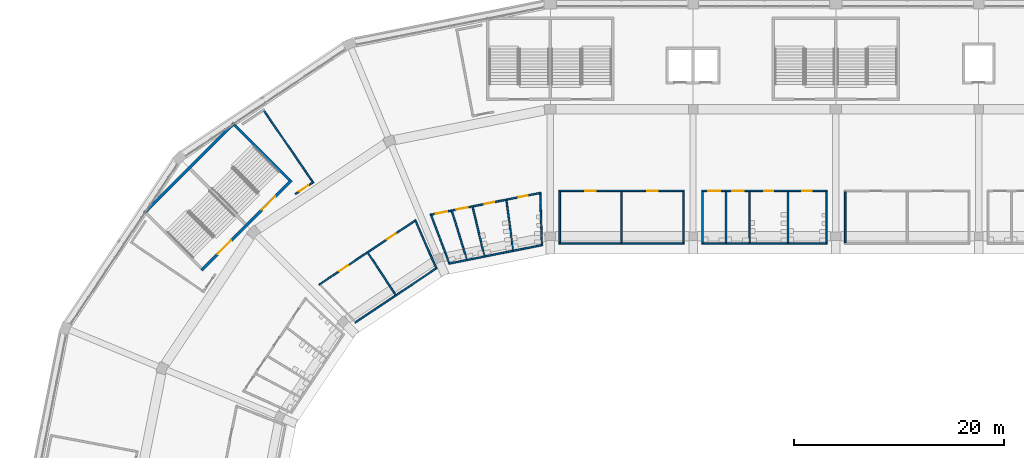
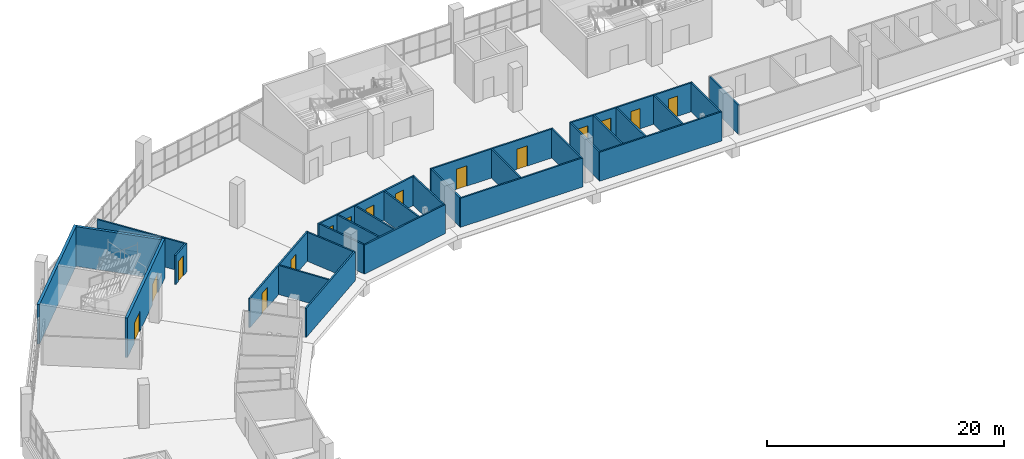
# One storey, part 85 of 199: 29 walls, 15 doors, 15 openings.
"""IFC4 building model written with IfcOpenShell, lengths in metres."""

from ifc_helpers import new_model, si_unit, direction, frame, frame_2d, origin, place, context, subcontext, project, spatial, rectangle, extrude, material, layer, layer_set, type_object, element, fill, save


model = new_model("IFC4")

# Units and contexts
model_context = context("Model", 3, precision=1e-05, world=origin(), true_north=direction((0.0, 1.0)))
body_context = subcontext(model_context, "Body", "Model", "MODEL_VIEW")
ifc_project = project(units=[si_unit("LENGTHUNIT", "METRE"), si_unit("AREAUNIT", "SQUARE_METRE"), si_unit("VOLUMEUNIT", "CUBIC_METRE"), si_unit("PLANEANGLEUNIT", "RADIAN"), si_unit("MASSUNIT", "GRAM", prefix="KILO")], contexts=[model_context])

# Site, building, storey
site_placement = place(None, origin())
site = spatial("IfcSite", under=ifc_project, at=site_placement, CompositionType="ELEMENT")
building_placement = place(site_placement, origin())
building = spatial("IfcBuilding", under=site, at=building_placement, Name="Ogive Plaza Stadium", CompositionType="ELEMENT")
storey_placement = place(building_placement, frame((0.0, 0.0, 4.5)))
storey = spatial("IfcBuildingStorey", under=building, at=storey_placement, Name="L01", CompositionType="ELEMENT", Elevation=4.5)

# Wall
ifc_material_1 = material(Name="Masonry blockwork", Category="masonry")
ifc_layer_1 = layer(ifc_material_1, 0.14990234375)
ifc_layer_set_1 = layer_set([ifc_layer_1], Name="Blockwork wall 150")
wall_type_1 = type_object("IfcWallType", Name="Blockwork wall 150", PredefinedType="SOLIDWALL", material=ifc_layer_set_1)
wall_1_placement = place(storey_placement, frame((-52.60498046875, 72.153076171875, 0.0), z_axis=(0.0, 0.0, 1.0), x_axis=(0.831461674059, 0.555582113257, 0.0)))
element("IfcWall", 1, at=wall_1_placement, inside=storey, type_object=wall_type_1, Name="Wall L01 B30", PredefinedType="SOLIDWALL", context=body_context, shape_type="SweptSolid", body=[
    extrude(rectangle(XDim=9.3876953125, YDim=0.14990234375, at=frame_2d((4.69384765625, 0.0))), origin(), (0.0, 0.0, 1.0), 3.0),
])

# Wall, openings, doors
wall_2_placement = place(storey_placement, frame((-56.025146484375, 75.765869140625, 0.0), z_axis=(0.0, 0.0, 1.0), x_axis=(0.831478677095, 0.55555666636, 0.0)))
wall_2 = element("IfcWall", 2, at=wall_2_placement, inside=storey, type_object=wall_type_1, Name="Wall L01 B30", PredefinedType="SOLIDWALL", context=body_context, shape_type="SweptSolid", body=[
    extrude(rectangle(XDim=11.11328125, YDim=0.14990234375, at=frame_2d((5.556640625, 0.0))), origin(), (0.0, 0.0, 1.0), 3.0),
])
opening_1_placement = place(wall_2_placement, frame((2.319091796875, 0.0, 0.0)))
opening_1 = element("IfcOpeningElement", 3, at=opening_1_placement, cuts=wall_2, Name="Opening D0567", PredefinedType="OPENING", context=body_context, shape_type="SweptSolid", body=[
    extrude(rectangle(XDim=1.0, YDim=2.10009765625, at=frame_2d((0.5, 1.050048828125))), frame((0.0, 0.074951171875, 0.0), z_axis=(0.0, -1.0, 0.0), x_axis=(1.0, 0.0, 0.0)), (0.0, 0.0, 1.0), 0.14990234375),
])
opening_2_placement = place(wall_2_placement, frame((7.79443359375, 0.0, 0.0)))
opening_2 = element("IfcOpeningElement", 4, at=opening_2_placement, cuts=wall_2, Name="Opening D0568", PredefinedType="OPENING", context=body_context, shape_type="SweptSolid", body=[
    extrude(rectangle(XDim=1.0, YDim=2.10009765625, at=frame_2d((0.5, 1.050048828125))), frame((0.0, 0.074951171875, 0.0), z_axis=(0.0, -1.0, 0.0), x_axis=(1.0, 0.0, 0.0)), (0.0, 0.0, 1.0), 0.14990234375),
])
ifc_material_2 = material(Name="Steel ASTM A572 Grade 50", Category="steel")
door_type_1 = type_object("IfcDoorType", Name="Door 1000 x 2100", OperationType="SINGLE_SWING_LEFT", PredefinedType="DOOR", material=ifc_material_2)
door_1_placement = place(opening_1_placement, origin())
door_1 = element("IfcDoor", 5, at=door_1_placement, inside=storey, type_object=door_type_1, Name="Club Bar B30 door", OperationType="SINGLE_SWING_LEFT", OverallHeight=2.10009765625, OverallWidth=1.0, PredefinedType="DOOR", context=body_context, shape_type="SweptSolid", body=[
    extrude(rectangle(XDim=1.0, YDim=2.10009765625, at=frame_2d((0.5, 1.050048828125))), frame((0.0, 0.02490234375, 0.0), z_axis=(0.0, -1.0, 0.0), x_axis=(1.0, 0.0, 0.0)), (0.0, 0.0, 1.0), 0.050048828125),
])
fill(opening_1, door_1)
ifc_material_3 = material(Name="Steel ASTM A572 Grade 50", Category="steel")
door_type_2 = type_object("IfcDoorType", Name="Fire door FD60 1000 x 2100", OperationType="SINGLE_SWING_LEFT", PredefinedType="DOOR", material=ifc_material_3)
door_2_placement = place(opening_2_placement, origin())
door_2 = element("IfcDoor", 6, at=door_2_placement, inside=storey, type_object=door_type_2, Name="Club Kitchen B30 door", OperationType="SINGLE_SWING_RIGHT", OverallHeight=2.10009765625, OverallWidth=1.0, PredefinedType="DOOR", context=body_context, shape_type="SweptSolid", body=[
    extrude(rectangle(XDim=1.0, YDim=2.10009765625, at=frame_2d((0.5, 1.050048828125))), frame((0.0, 0.02490234375, 0.0), z_axis=(0.0, -1.0, 0.0), x_axis=(1.0, 0.0, 0.0)), (0.0, 0.0, 1.0), 0.050048828125),
])
fill(opening_2, door_2)

# Walls
wall_3_placement = place(storey_placement, frame((-48.742919921875, 74.822265625, 0.0), z_axis=(0.0, 0.0, 1.0), x_axis=(-0.551118175735, 0.834427202561, 0.0)))
element("IfcWall", 7, at=wall_3_placement, inside=storey, type_object=wall_type_1, Name="Wall L01 B30", PredefinedType="SOLIDWALL", context=body_context, shape_type="SweptSolid", body=[
    extrude(rectangle(XDim=4.7568359375, YDim=0.14990234375, at=frame_2d((2.37841796875, 0.0))), origin(), (0.0, 0.0, 1.0), 3.0),
])
wall_4_placement = place(storey_placement, frame((-44.886474609375, 77.39892578125, 0.0), z_axis=(0.0, 0.0, 1.0), x_axis=(-0.400646552146, 0.916232688924, 0.0)))
element("IfcWall", 8, at=wall_4_placement, inside=storey, type_object=wall_type_1, Name="Wall L01 B30", PredefinedType="SOLIDWALL", context=body_context, shape_type="SweptSolid", body=[
    extrude(rectangle(XDim=4.832275390625, YDim=0.14990234375, at=frame_2d((2.416015625, 0.0))), origin(), (0.0, 0.0, 1.0), 3.0),
])

# Wall, opening, door
wall_5_placement = place(storey_placement, frame((-58.275390625, 84.40673828125, 0.0), z_axis=(0.0, 0.0, 1.0), x_axis=(0.831526298134, 0.555485387307, 0.0)))
wall_5 = element("IfcWall", 9, at=wall_5_placement, inside=storey, type_object=wall_type_1, Name="Wall L01 B30", PredefinedType="SOLIDWALL", context=body_context, shape_type="SweptSolid", body=[
    extrude(rectangle(XDim=2.080078125, YDim=0.14990234375, at=frame_2d((1.0400390625, 0.0))), origin(), (0.0, 0.0, 1.0), 3.0),
])
opening_3_placement = place(wall_5_placement, frame((0.47216796875, 0.0, 0.0)))
opening_3 = element("IfcOpeningElement", 10, at=opening_3_placement, cuts=wall_5, Name="Opening D0569", PredefinedType="OPENING", context=body_context, shape_type="SweptSolid", body=[
    extrude(rectangle(XDim=1.0, YDim=2.10009765625, at=frame_2d((0.5, 1.050048828125))), frame((0.0, 0.074951171875, 0.0), z_axis=(0.0, -1.0, 0.0), x_axis=(1.0, 0.0, 0.0)), (0.0, 0.0, 1.0), 0.14990234375),
])
door_3_placement = place(opening_3_placement, origin())
door_3 = element("IfcDoor", 11, at=door_3_placement, inside=storey, type_object=door_type_2, Name="Club Store B30 door", OperationType="SINGLE_SWING_LEFT", OverallHeight=2.10009765625, OverallWidth=1.0, PredefinedType="DOOR", context=body_context, shape_type="SweptSolid", body=[
    extrude(rectangle(XDim=1.0, YDim=2.10009765625, at=frame_2d((0.5, 1.050048828125))), frame((0.0, 0.02490234375, 0.0), z_axis=(0.0, -1.0, 0.0), x_axis=(1.0, 0.0, 0.0)), (0.0, 0.0, 1.0), 0.050048828125),
])
fill(opening_3, door_3)

# Walls
wall_6_placement = place(storey_placement, frame((-56.643798828125, 85.58544921875, 0.0), z_axis=(0.0, 0.0, 1.0), x_axis=(-0.564785434986, 0.825237791444, 0.0)))
element("IfcWall", 12, at=wall_6_placement, inside=storey, type_object=wall_type_1, Name="Wall L01 B30", PredefinedType="SOLIDWALL", context=body_context, shape_type="SweptSolid", body=[
    extrude(rectangle(XDim=8.189697265625, YDim=0.14990234375, at=frame_2d((4.0947265625, 0.0))), origin(), (0.0, 0.0, 1.0), 3.0),
])
wall_7_placement = place(storey_placement, frame((-33.175048828125, 79.699951171875, 0.0), z_axis=(0.0, 0.0, 1.0), x_axis=(1.0, 0.0, 0.0)))
element("IfcWall", 13, at=wall_7_placement, inside=storey, type_object=wall_type_1, Name="Wall L01 B32", PredefinedType="SOLIDWALL", context=body_context, shape_type="SweptSolid", body=[
    extrude(rectangle(XDim=11.949951171875, YDim=0.14990234375, at=frame_2d((5.97509765625, 0.0))), origin(), (0.0, 0.0, 1.0), 3.0),
])

# Wall, openings, doors
wall_8_placement = place(storey_placement, frame((-33.175048828125, 84.699951171875, 0.0), z_axis=(0.0, 0.0, 1.0), x_axis=(1.0, 0.0, 0.0)))
wall_8 = element("IfcWall", 14, at=wall_8_placement, inside=storey, type_object=wall_type_1, Name="Wall L01 B32", PredefinedType="SOLIDWALL", context=body_context, shape_type="SweptSolid", body=[
    extrude(rectangle(XDim=11.949951171875, YDim=0.14990234375, at=frame_2d((5.97509765625, 0.0))), origin(), (0.0, 0.0, 1.0), 3.0),
])
opening_4_placement = place(wall_8_placement, frame((2.52490234375, 0.0, 0.0)))
opening_4 = element("IfcOpeningElement", 15, at=opening_4_placement, cuts=wall_8, Name="Opening D0575", PredefinedType="OPENING", context=body_context, shape_type="SweptSolid", body=[
    extrude(rectangle(XDim=1.0, YDim=2.10009765625, at=frame_2d((0.5, 1.050048828125))), frame((0.0, 0.074951171875, 0.0), z_axis=(0.0, -1.0, 0.0), x_axis=(1.0, 0.0, 0.0)), (0.0, 0.0, 1.0), 0.14990234375),
])
opening_5_placement = place(wall_8_placement, frame((8.425048828125, 0.0, 0.0)))
opening_5 = element("IfcOpeningElement", 16, at=opening_5_placement, cuts=wall_8, Name="Opening D0576", PredefinedType="OPENING", context=body_context, shape_type="SweptSolid", body=[
    extrude(rectangle(XDim=1.0, YDim=2.10009765625, at=frame_2d((0.5, 1.050048828125))), frame((0.0, 0.074951171875, 0.0), z_axis=(0.0, -1.0, 0.0), x_axis=(1.0, 0.0, 0.0)), (0.0, 0.0, 1.0), 0.14990234375),
])
door_4_placement = place(opening_4_placement, origin())
door_4 = element("IfcDoor", 17, at=door_4_placement, inside=storey, type_object=door_type_1, Name="Club Bar B32 door", OperationType="SINGLE_SWING_RIGHT", OverallHeight=2.10009765625, OverallWidth=1.0, PredefinedType="DOOR", context=body_context, shape_type="SweptSolid", body=[
    extrude(rectangle(XDim=1.0, YDim=2.10009765625, at=frame_2d((0.5, 1.050048828125))), frame((0.0, 0.02490234375, 0.0), z_axis=(0.0, -1.0, 0.0), x_axis=(1.0, 0.0, 0.0)), (0.0, 0.0, 1.0), 0.050048828125),
])
fill(opening_4, door_4)
door_5_placement = place(opening_5_placement, origin())
door_5 = element("IfcDoor", 18, at=door_5_placement, inside=storey, type_object=door_type_2, Name="Club Kitchen B32 door", OperationType="SINGLE_SWING_LEFT", OverallHeight=2.10009765625, OverallWidth=1.0, PredefinedType="DOOR", context=body_context, shape_type="SweptSolid", body=[
    extrude(rectangle(XDim=1.0, YDim=2.10009765625, at=frame_2d((0.5, 1.050048828125))), frame((0.0, 0.02490234375, 0.0), z_axis=(0.0, -1.0, 0.0), x_axis=(1.0, 0.0, 0.0)), (0.0, 0.0, 1.0), 0.050048828125),
])
fill(opening_5, door_5)

# Walls
for number, where, z_axis, x_axis, name in (
    (19, (-33.10009765625, 79.77490234375, 0.0), (0.0, 0.0, 1.0), (0.0, 1.0, 0.0), "Wall L01 B32"),
    (20, (-27.199951171875, 79.77490234375, 0.0), (0.0, 0.0, 1.0), (0.0, 1.0, 0.0), "Wall L01 B32"),
    (21, (-21.300048828125, 79.77490234375, 0.0), (0.0, 0.0, 1.0), (0.0, 1.0, 0.0), "Wall L01 B32"),
    (22, (-5.89990234375, 79.77490234375, 0.0), (0.0, 0.0, 1.0), (0.0, 1.0, 0.0), "Wall L01 B34"),
):
    element("IfcWall", number, at=place(storey_placement, frame(where, z_axis=z_axis, x_axis=x_axis)), inside=storey, type_object=wall_type_1, Name=name, PredefinedType="SOLIDWALL", context=body_context, shape_type="SweptSolid", body=[
        extrude(rectangle(XDim=4.85009765625, YDim=0.14990234375, at=frame_2d((2.425048828125, 0.0))), origin(), (0.0, 0.0, 1.0), 3.0),
    ])

# Wall, openings, doors
ifc_material_4 = material(Name="Concrete C40/50", Category="concrete")
ifc_layer_2 = layer(ifc_material_4, 0.25)
ifc_layer_set_2 = layer_set([ifc_layer_2], Name="Concrete C40/50")
wall_type_2 = type_object("IfcWallType", Name="Core wall 250", PredefinedType="SHEAR", material=ifc_layer_set_2)
wall_9_placement = place(storey_placement, frame((-58.642578125, 85.734130859375, 0.0), z_axis=(0.0, 0.0, 1.0), x_axis=(-0.707106781187, -0.707106781187, 0.0)))
wall_9 = element("IfcWall", 23, at=wall_9_placement, inside=storey, type_object=wall_type_2, Name="Stair core R30 inner wall", PredefinedType="SHEAR", context=body_context, shape_type="SweptSolid", body=[
    extrude(rectangle(XDim=12.150390625, YDim=0.25, at=frame_2d((6.0751953125, 0.0))), origin(), (0.0, 0.0, 1.0), 4.090087890625),
])
opening_6_placement = place(wall_9_placement, frame((2.199951171875, 0.0, 0.0)))
opening_6 = element("IfcOpeningElement", 24, at=opening_6_placement, cuts=wall_9, Name="Opening D0223", PredefinedType="OPENING", context=body_context, shape_type="SweptSolid", body=[
    extrude(rectangle(XDim=1.800048828125, YDim=2.10009765625, at=frame_2d((0.89990234375, 1.050048828125))), frame((0.0, 0.125, 0.0), z_axis=(0.0, -1.0, 0.0), x_axis=(1.0, 0.0, 0.0)), (0.0, 0.0, 1.0), 0.25),
])
opening_7_placement = place(wall_9_placement, frame((8.14990234375, 0.0, 0.0)))
opening_7 = element("IfcOpeningElement", 25, at=opening_7_placement, cuts=wall_9, Name="Opening D0224", PredefinedType="OPENING", context=body_context, shape_type="SweptSolid", body=[
    extrude(rectangle(XDim=1.800048828125, YDim=2.10009765625, at=frame_2d((0.89990234375, 1.050048828125))), frame((0.0, 0.125, 0.0), z_axis=(0.0, -1.0, 0.0), x_axis=(1.0, 0.0, 0.0)), (0.0, 0.0, 1.0), 0.25),
])
ifc_material_5 = material(Name="Steel ASTM A572 Grade 50", Category="steel")
door_type_3 = type_object("IfcDoorType", Name="Fire door FD90 pair 1800 x 2100", OperationType="DOUBLE_DOOR_SINGLE_SWING", PredefinedType="DOOR", material=ifc_material_5)
door_6_placement = place(opening_6_placement, origin())
door_6 = element("IfcDoor", 26, at=door_6_placement, inside=storey, type_object=door_type_3, Name="Exit stair R30A door L01", OperationType="DOUBLE_DOOR_SINGLE_SWING", OverallHeight=2.10009765625, OverallWidth=1.800048828125, PredefinedType="DOOR", context=body_context, shape_type="SweptSolid", body=[
    extrude(rectangle(XDim=1.800048828125, YDim=2.10009765625, at=frame_2d((0.89990234375, 1.050048828125))), frame((0.0, 0.02490234375, 0.0), z_axis=(0.0, -1.0, 0.0), x_axis=(1.0, 0.0, 0.0)), (0.0, 0.0, 1.0), 0.050048828125),
])
fill(opening_6, door_6)
door_7_placement = place(opening_7_placement, origin())
door_7 = element("IfcDoor", 27, at=door_7_placement, inside=storey, type_object=door_type_3, Name="Exit stair R30B door L01", OperationType="DOUBLE_DOOR_SINGLE_SWING", OverallHeight=2.10009765625, OverallWidth=1.800048828125, PredefinedType="DOOR", context=body_context, shape_type="SweptSolid", body=[
    extrude(rectangle(XDim=1.800048828125, YDim=2.10009765625, at=frame_2d((0.89990234375, 1.050048828125))), frame((0.0, 0.02490234375, 0.0), z_axis=(0.0, -1.0, 0.0), x_axis=(1.0, 0.0, 0.0)), (0.0, 0.0, 1.0), 0.050048828125),
])
fill(opening_7, door_7)

# Walls
wall_10_placement = place(storey_placement, frame((-64.094482421875, 91.185791015625, 0.0), z_axis=(0.0, 0.0, 1.0), x_axis=(-0.707106781187, -0.707106781187, 0.0)))
element("IfcWall", 28, at=wall_10_placement, inside=storey, type_object=wall_type_2, Name="Stair core R30 outer wall", PredefinedType="SHEAR", context=body_context, shape_type="SweptSolid", body=[
    extrude(rectangle(XDim=12.14990234375, YDim=0.25, at=frame_2d((6.074951171875, 0.0))), origin(), (0.0, 0.0, 1.0), 4.090087890625),
])
wall_11_placement = place(storey_placement, frame((-58.8193359375, 85.734130859375, 0.0), z_axis=(0.0, 0.0, 1.0), x_axis=(-0.707123144286, 0.707090417709, 0.0)))
element("IfcWall", 29, at=wall_11_placement, inside=storey, type_object=wall_type_2, Name="Stair core R30 side wall", PredefinedType="SHEAR", context=body_context, shape_type="SweptSolid", body=[
    extrude(rectangle(XDim=7.4599609375, YDim=0.25, at=frame_2d((3.72998046875, 0.0))), origin(), (0.0, 0.0, 1.0), 4.090087890625),
])
ifc_material_6 = material(Name="Gypsum board partition", Category="gypsum")
ifc_layer_3 = layer(ifc_material_6, 0.14990234375)
ifc_layer_set_3 = layer_set([ifc_layer_3], Name="Partition 150")
wall_type_3 = type_object("IfcWallType", Name="Partition 150", PredefinedType="PARTITIONING", material=ifc_layer_set_3)
wall_12_placement = place(storey_placement, frame((-34.740966796875, 79.552490234375, 0.0), z_axis=(0.0, 0.0, 1.0), x_axis=(-0.980786464492, -0.195084369103, 0.0)))
element("IfcWall", 30, at=wall_12_placement, inside=storey, type_object=wall_type_3, Name="Wall L01 B31", PredefinedType="PARTITIONING", context=body_context, shape_type="SweptSolid", body=[
    extrude(rectangle(XDim=9.101806640625, YDim=0.14990234375, at=frame_2d((4.55078125, 0.0))), origin(), (0.0, 0.0, 1.0), 3.0),
])

# Wall, openings, doors
wall_13_placement = place(storey_placement, frame((-34.877197265625, 84.525390625, 0.0), z_axis=(0.0, 0.0, 1.0), x_axis=(-0.98078580384, -0.195087690502, 0.0)))
wall_13 = element("IfcWall", 31, at=wall_13_placement, inside=storey, type_object=wall_type_3, Name="Wall L01 B31", PredefinedType="PARTITIONING", context=body_context, shape_type="SweptSolid", body=[
    extrude(rectangle(XDim=10.77490234375, YDim=0.14990234375, at=frame_2d((5.387451171875, 0.0))), origin(), (0.0, 0.0, 1.0), 3.0),
])
opening_8_placement = place(wall_13_placement, frame((1.276123046875, 0.0, 0.0)))
opening_8 = element("IfcOpeningElement", 32, at=opening_8_placement, cuts=wall_13, Name="Opening D0570", PredefinedType="OPENING", context=body_context, shape_type="SweptSolid", body=[
    extrude(rectangle(XDim=0.89990234375, YDim=2.10009765625, at=frame_2d((0.449951171875, 1.050048828125))), frame((0.0, 0.074951171875, 0.0), z_axis=(0.0, -1.0, 0.0), x_axis=(1.0, 0.0, 0.0)), (0.0, 0.0, 1.0), 0.14990234375),
])
opening_9_placement = place(wall_13_placement, frame((4.56591796875, 0.0, 0.0)))
opening_9 = element("IfcOpeningElement", 33, at=opening_9_placement, cuts=wall_13, Name="Opening D0571", PredefinedType="OPENING", context=body_context, shape_type="SweptSolid", body=[
    extrude(rectangle(XDim=0.89990234375, YDim=2.10009765625, at=frame_2d((0.449951171875, 1.050048828125))), frame((0.0, 0.074951171875, 0.0), z_axis=(0.0, -1.0, 0.0), x_axis=(1.0, 0.0, 0.0)), (0.0, 0.0, 1.0), 0.14990234375),
])
opening_10_placement = place(wall_13_placement, frame((7.119140625, 0.0, 0.0)))
opening_10 = element("IfcOpeningElement", 34, at=opening_10_placement, cuts=wall_13, Name="Opening D0572", PredefinedType="OPENING", context=body_context, shape_type="SweptSolid", body=[
    extrude(rectangle(XDim=1.10009765625, YDim=2.10009765625, at=frame_2d((0.550048828125, 1.050048828125))), frame((0.0, 0.074951171875, 0.0), z_axis=(0.0, -1.0, 0.0), x_axis=(1.0, 0.0, 0.0)), (0.0, 0.0, 1.0), 0.14990234375),
])
opening_11_placement = place(wall_13_placement, frame((9.135498046875, 0.0, 0.0)))
opening_11 = element("IfcOpeningElement", 35, at=opening_11_placement, cuts=wall_13, Name="Opening D0573", PredefinedType="OPENING", context=body_context, shape_type="SweptSolid", body=[
    extrude(rectangle(XDim=1.10009765625, YDim=2.10009765625, at=frame_2d((0.550048828125, 1.050048828125))), frame((0.0, 0.074951171875, 0.0), z_axis=(0.0, -1.0, 0.0), x_axis=(1.0, 0.0, 0.0)), (0.0, 0.0, 1.0), 0.14990234375),
])
ifc_material_7 = material(Name="Steel ASTM A572 Grade 50", Category="steel")
door_type_4 = type_object("IfcDoorType", Name="Accessible door 1100 x 2100", OperationType="SINGLE_SWING_LEFT", PredefinedType="DOOR", material=ifc_material_7)
door_8_placement = place(opening_10_placement, origin())
door_8 = element("IfcDoor", 36, at=door_8_placement, inside=storey, type_object=door_type_4, Name="Accessible WC B31 door", OperationType="SINGLE_SWING_LEFT", OverallHeight=2.10009765625, OverallWidth=1.10009765625, PredefinedType="DOOR", context=body_context, shape_type="SweptSolid", body=[
    extrude(rectangle(XDim=1.10009765625, YDim=2.10009765625, at=frame_2d((0.550048828125, 1.050048828125))), frame((0.0, 0.02490234375, 0.0), z_axis=(0.0, -1.0, 0.0), x_axis=(1.0, 0.0, 0.0)), (0.0, 0.0, 1.0), 0.050048828125),
])
fill(opening_10, door_8)
door_9_placement = place(opening_11_placement, origin())
door_9 = element("IfcDoor", 37, at=door_9_placement, inside=storey, type_object=door_type_4, Name="Family WC B31 door", OperationType="SINGLE_SWING_LEFT", OverallHeight=2.10009765625, OverallWidth=1.10009765625, PredefinedType="DOOR", context=body_context, shape_type="SweptSolid", body=[
    extrude(rectangle(XDim=1.10009765625, YDim=2.10009765625, at=frame_2d((0.550048828125, 1.050048828125))), frame((0.0, 0.02490234375, 0.0), z_axis=(0.0, -1.0, 0.0), x_axis=(1.0, 0.0, 0.0)), (0.0, 0.0, 1.0), 0.050048828125),
])
fill(opening_11, door_9)
ifc_material_8 = material(Name="Steel ASTM A572 Grade 50", Category="steel")
door_type_5 = type_object("IfcDoorType", Name="Door 900 x 2100", OperationType="SINGLE_SWING_LEFT", PredefinedType="DOOR", material=ifc_material_8)
door_10_placement = place(opening_8_placement, origin())
door_10 = element("IfcDoor", 38, at=door_10_placement, inside=storey, type_object=door_type_5, Name="Men's Toilet B31 door", OperationType="SINGLE_SWING_RIGHT", OverallHeight=2.10009765625, OverallWidth=0.89990234375, PredefinedType="DOOR", context=body_context, shape_type="SweptSolid", body=[
    extrude(rectangle(XDim=0.89990234375, YDim=2.10009765625, at=frame_2d((0.449951171875, 1.050048828125))), frame((0.0, 0.02490234375, 0.0), z_axis=(0.0, -1.0, 0.0), x_axis=(1.0, 0.0, 0.0)), (0.0, 0.0, 1.0), 0.050048828125),
])
fill(opening_8, door_10)
door_11_placement = place(opening_9_placement, origin())
door_11 = element("IfcDoor", 39, at=door_11_placement, inside=storey, type_object=door_type_5, Name="Women's Toilet B31 door", OperationType="SINGLE_SWING_LEFT", OverallHeight=2.10009765625, OverallWidth=0.89990234375, PredefinedType="DOOR", context=body_context, shape_type="SweptSolid", body=[
    extrude(rectangle(XDim=0.89990234375, YDim=2.10009765625, at=frame_2d((0.449951171875, 1.050048828125))), frame((0.0, 0.02490234375, 0.0), z_axis=(0.0, -1.0, 0.0), x_axis=(1.0, 0.0, 0.0)), (0.0, 0.0, 1.0), 0.050048828125),
])
fill(opening_9, door_11)

# Walls
wall_14_placement = place(storey_placement, frame((-34.810546875, 79.61376953125, 0.0), z_axis=(0.0, 0.0, 1.0), x_axis=(-0.02991368842, 0.999552485488, 0.0)))
element("IfcWall", 40, at=wall_14_placement, inside=storey, type_object=wall_type_3, Name="Wall L01 B31", PredefinedType="PARTITIONING", context=body_context, shape_type="SweptSolid", body=[
    extrude(rectangle(XDim=4.823486328125, YDim=0.14990234375, at=frame_2d((2.41162109375, 0.0))), origin(), (0.0, 0.0, 1.0), 3.0),
])
wall_15_placement = place(storey_placement, frame((-37.543701171875, 79.070068359375, 0.0), z_axis=(0.0, 0.0, 1.0), x_axis=(-0.132200625744, 0.99122297923, 0.0)))
element("IfcWall", 41, at=wall_15_placement, inside=storey, type_object=wall_type_3, Name="Wall L01 B31", PredefinedType="PARTITIONING", context=body_context, shape_type="SweptSolid", body=[
    extrude(rectangle(XDim=4.766357421875, YDim=0.14990234375, at=frame_2d((2.38330078125, 0.0))), origin(), (0.0, 0.0, 1.0), 3.0),
])
wall_16_placement = place(storey_placement, frame((-40.27685546875, 78.5263671875, 0.0), z_axis=(0.0, 0.0, 1.0), x_axis=(-0.234455054274, 0.9721269606, 0.0)))
element("IfcWall", 42, at=wall_16_placement, inside=storey, type_object=wall_type_3, Name="Wall L01 B31", PredefinedType="PARTITIONING", context=body_context, shape_type="SweptSolid", body=[
    extrude(rectangle(XDim=4.760986328125, YDim=0.14990234375, at=frame_2d((2.38037109375, 0.0))), origin(), (0.0, 0.0, 1.0), 3.0),
])
wall_17_placement = place(storey_placement, frame((-41.951904296875, 78.193359375, 0.0), z_axis=(0.0, 0.0, 1.0), x_axis=(-0.295678182088, 0.955287607288, 0.0)))
element("IfcWall", 43, at=wall_17_placement, inside=storey, type_object=wall_type_3, Name="Wall L01 B31", PredefinedType="PARTITIONING", context=body_context, shape_type="SweptSolid", body=[
    extrude(rectangle(XDim=4.782470703125, YDim=0.14990234375, at=frame_2d((2.39111328125, 0.0))), origin(), (0.0, 0.0, 1.0), 3.0),
])
wall_18_placement = place(storey_placement, frame((-43.626953125, 77.860107421875, 0.0), z_axis=(0.0, 0.0, 1.0), x_axis=(-0.354909029819, 0.934900839957, 0.0)))
element("IfcWall", 44, at=wall_18_placement, inside=storey, type_object=wall_type_3, Name="Wall L01 B31", PredefinedType="PARTITIONING", context=body_context, shape_type="SweptSolid", body=[
    extrude(rectangle(XDim=4.823486328125, YDim=0.14990234375, at=frame_2d((2.41162109375, 0.0))), origin(), (0.0, 0.0, 1.0), 3.0),
])
wall_19_placement = place(storey_placement, frame((-7.625, 79.699951171875, 0.0), z_axis=(0.0, 0.0, 1.0), x_axis=(-1.0, 0.0, 0.0)))
element("IfcWall", 45, at=wall_19_placement, inside=storey, type_object=wall_type_3, Name="Wall L01 B33", PredefinedType="PARTITIONING", context=body_context, shape_type="SweptSolid", body=[
    extrude(rectangle(XDim=11.949951171875, YDim=0.14990234375, at=frame_2d((5.97509765625, 0.0))), origin(), (0.0, 0.0, 1.0), 3.0),
])

# Wall, openings, doors
wall_20_placement = place(storey_placement, frame((-7.625, 84.699951171875, 0.0), z_axis=(0.0, 0.0, 1.0), x_axis=(-1.0, 0.0, 0.0)))
wall_20 = element("IfcWall", 46, at=wall_20_placement, inside=storey, type_object=wall_type_3, Name="Wall L01 B33", PredefinedType="PARTITIONING", context=body_context, shape_type="SweptSolid", body=[
    extrude(rectangle(XDim=11.949951171875, YDim=0.14990234375, at=frame_2d((5.97509765625, 0.0))), origin(), (0.0, 0.0, 1.0), 3.0),
])
opening_12_placement = place(wall_20_placement, frame((1.4541015625, 0.0, 0.0)))
opening_12 = element("IfcOpeningElement", 47, at=opening_12_placement, cuts=wall_20, Name="Opening D0577", PredefinedType="OPENING", context=body_context, shape_type="SweptSolid", body=[
    extrude(rectangle(XDim=0.89990234375, YDim=2.10009765625, at=frame_2d((0.449951171875, 1.050048828125))), frame((0.0, 0.074951171875, 0.0), z_axis=(0.0, -1.0, 0.0), x_axis=(1.0, 0.0, 0.0)), (0.0, 0.0, 1.0), 0.14990234375),
])
opening_13_placement = place(wall_20_placement, frame((5.112060546875, 0.0, 0.0)))
opening_13 = element("IfcOpeningElement", 48, at=opening_13_placement, cuts=wall_20, Name="Opening D0578", PredefinedType="OPENING", context=body_context, shape_type="SweptSolid", body=[
    extrude(rectangle(XDim=0.89990234375, YDim=2.10009765625, at=frame_2d((0.449951171875, 1.050048828125))), frame((0.0, 0.074951171875, 0.0), z_axis=(0.0, -1.0, 0.0), x_axis=(1.0, 0.0, 0.0)), (0.0, 0.0, 1.0), 0.14990234375),
])
opening_14_placement = place(wall_20_placement, frame((7.9619140625, 0.0, 0.0)))
opening_14 = element("IfcOpeningElement", 49, at=opening_14_placement, cuts=wall_20, Name="Opening D0579", PredefinedType="OPENING", context=body_context, shape_type="SweptSolid", body=[
    extrude(rectangle(XDim=1.10009765625, YDim=2.10009765625, at=frame_2d((0.550048828125, 1.050048828125))), frame((0.0, 0.074951171875, 0.0), z_axis=(0.0, -1.0, 0.0), x_axis=(1.0, 0.0, 0.0)), (0.0, 0.0, 1.0), 0.14990234375),
])
opening_15_placement = place(wall_20_placement, frame((10.2041015625, 0.0, 0.0)))
opening_15 = element("IfcOpeningElement", 50, at=opening_15_placement, cuts=wall_20, Name="Opening D0580", PredefinedType="OPENING", context=body_context, shape_type="SweptSolid", body=[
    extrude(rectangle(XDim=1.10009765625, YDim=2.10009765625, at=frame_2d((0.550048828125, 1.050048828125))), frame((0.0, 0.074951171875, 0.0), z_axis=(0.0, -1.0, 0.0), x_axis=(1.0, 0.0, 0.0)), (0.0, 0.0, 1.0), 0.14990234375),
])
door_12_placement = place(opening_14_placement, origin())
door_12 = element("IfcDoor", 51, at=door_12_placement, inside=storey, type_object=door_type_4, Name="Accessible WC B33 door", OperationType="SINGLE_SWING_LEFT", OverallHeight=2.10009765625, OverallWidth=1.10009765625, PredefinedType="DOOR", context=body_context, shape_type="SweptSolid", body=[
    extrude(rectangle(XDim=1.10009765625, YDim=2.10009765625, at=frame_2d((0.550048828125, 1.050048828125))), frame((0.0, 0.02490234375, 0.0), z_axis=(0.0, -1.0, 0.0), x_axis=(1.0, 0.0, 0.0)), (0.0, 0.0, 1.0), 0.050048828125),
])
fill(opening_14, door_12)
door_13_placement = place(opening_15_placement, origin())
door_13 = element("IfcDoor", 52, at=door_13_placement, inside=storey, type_object=door_type_4, Name="Family WC B33 door", OperationType="SINGLE_SWING_RIGHT", OverallHeight=2.10009765625, OverallWidth=1.10009765625, PredefinedType="DOOR", context=body_context, shape_type="SweptSolid", body=[
    extrude(rectangle(XDim=1.10009765625, YDim=2.10009765625, at=frame_2d((0.550048828125, 1.050048828125))), frame((0.0, 0.02490234375, 0.0), z_axis=(0.0, -1.0, 0.0), x_axis=(1.0, 0.0, 0.0)), (0.0, 0.0, 1.0), 0.050048828125),
])
fill(opening_15, door_13)
door_14_placement = place(opening_12_placement, origin())
door_14 = element("IfcDoor", 53, at=door_14_placement, inside=storey, type_object=door_type_5, Name="Men's Toilet B33 door", OperationType="SINGLE_SWING_LEFT", OverallHeight=2.10009765625, OverallWidth=0.89990234375, PredefinedType="DOOR", context=body_context, shape_type="SweptSolid", body=[
    extrude(rectangle(XDim=0.89990234375, YDim=2.10009765625, at=frame_2d((0.449951171875, 1.050048828125))), frame((0.0, 0.02490234375, 0.0), z_axis=(0.0, -1.0, 0.0), x_axis=(1.0, 0.0, 0.0)), (0.0, 0.0, 1.0), 0.050048828125),
])
fill(opening_12, door_14)
door_15_placement = place(opening_13_placement, origin())
door_15 = element("IfcDoor", 54, at=door_15_placement, inside=storey, type_object=door_type_5, Name="Women's Toilet B33 door", OperationType="SINGLE_SWING_RIGHT", OverallHeight=2.10009765625, OverallWidth=0.89990234375, PredefinedType="DOOR", context=body_context, shape_type="SweptSolid", body=[
    extrude(rectangle(XDim=0.89990234375, YDim=2.10009765625, at=frame_2d((0.449951171875, 1.050048828125))), frame((0.0, 0.02490234375, 0.0), z_axis=(0.0, -1.0, 0.0), x_axis=(1.0, 0.0, 0.0)), (0.0, 0.0, 1.0), 0.050048828125),
])
fill(opening_13, door_15)

# Walls
for number, where, z_axis, x_axis, name in (
    (55, (-7.699951171875, 79.77490234375, 0.0), (0.0, 0.0, 1.0), (0.0, 1.0, 0.0), "Wall L01 B33"),
    (56, (-11.35791015625, 79.77490234375, 0.0), (0.0, 0.0, 1.0), (0.0, 1.0, 0.0), "Wall L01 B33"),
    (57, (-15.01611328125, 79.77490234375, 0.0), (0.0, 0.0, 1.0), (0.0, 1.0, 0.0), "Wall L01 B33"),
    (58, (-17.258056640625, 79.77490234375, 0.0), (0.0, 0.0, 1.0), (0.0, 1.0, 0.0), "Wall L01 B33"),
    (59, (-19.5, 79.77490234375, 0.0), (0.0, 0.0, 1.0), (0.0, 1.0, 0.0), "Wall L01 B33"),
):
    element("IfcWall", number, at=place(storey_placement, frame(where, z_axis=z_axis, x_axis=x_axis)), inside=storey, type_object=wall_type_3, Name=name, PredefinedType="PARTITIONING", context=body_context, shape_type="SweptSolid", body=[
        extrude(rectangle(XDim=4.85009765625, YDim=0.14990234375, at=frame_2d((2.425048828125, 0.0))), origin(), (0.0, 0.0, 1.0), 3.0),
    ])

save(model, "model.ifc")
